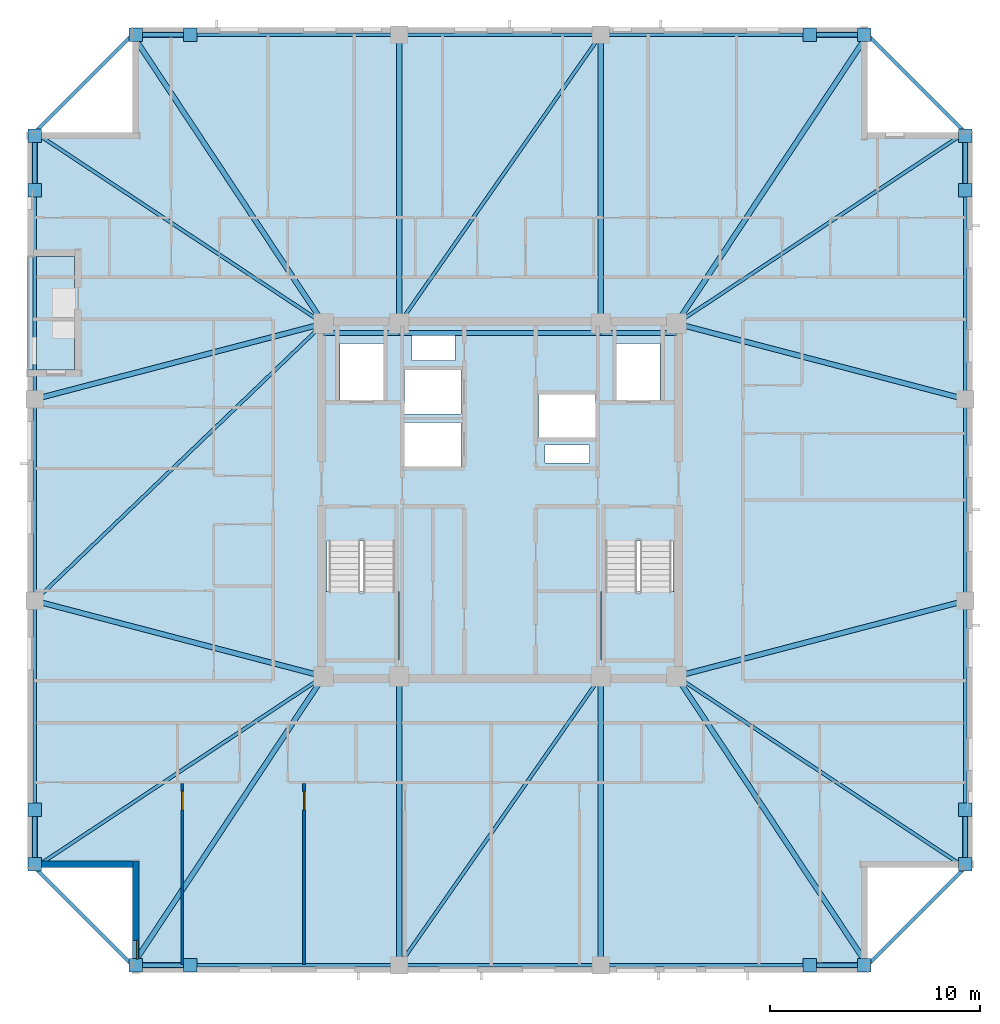
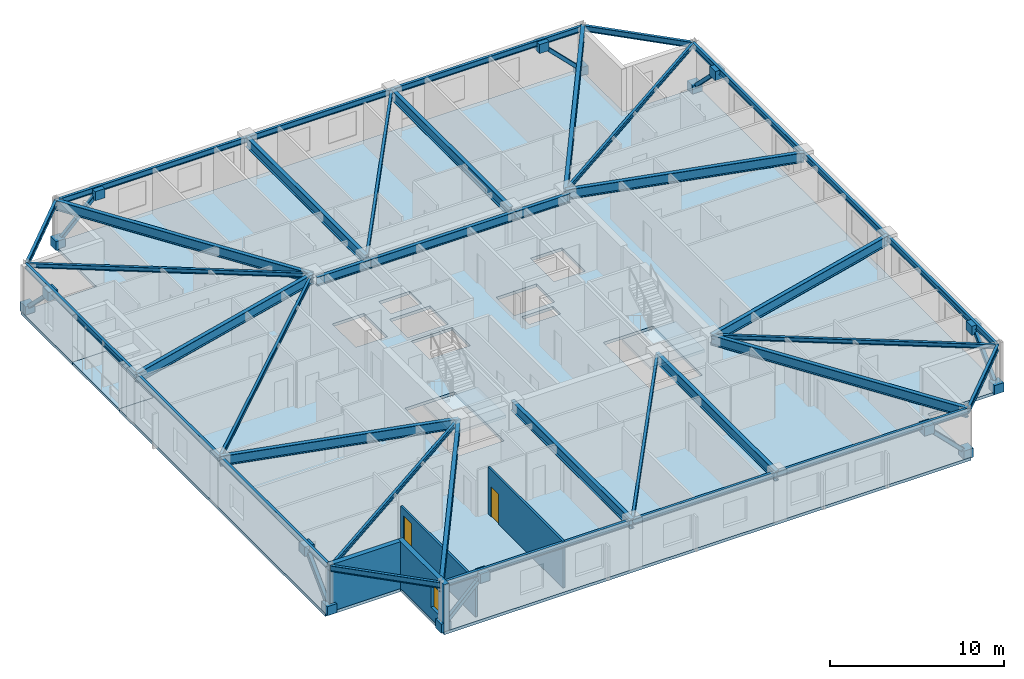
# One storey, part 6 of 17: 38 beams, 16 plates, 8 members, 4 slabs, 4 walls, 2 doors, 1 window, 3 openings, 2 elements without a shape of their own.
"""IFC4 building model written with IfcOpenShell, lengths in metres."""

import ifcopenshell
import ifcopenshell.guid

model = None  # the IFC model being written
_history = None  # IfcOwnerHistory: only IFC2X3 demands one
_inside = {}  # id of a spatial element -> (the spatial element, [elements in it])
_under = {}  # id of a project, library or spatial element -> (it, [spatial elements below it])
_declared = {}  # id of a project -> (the project, [libraries it declares])
_typed = {}  # id of a type object -> (the type object, [elements of that type])
_made_of = {}  # id of a material, layer set ... -> (it, [elements and type objects made of it])


def new_model(schema):
    """Start an empty IFC model of exactly this schema.

    Asked for "IFC4X3", IfcOpenShell would pick the latest addendum, in which some entities
    have other attributes; the version numbers below select the first issue.
    IFC2X3 requires an IfcOwnerHistory on every rooted entity: one is made here for all.
    """
    global model, _history
    if schema == "IFC4X3":
        model = ifcopenshell.file(schema_version=(4, 3, 0, 0))
    else:
        model = ifcopenshell.file(schema=schema)
    _inside.clear()
    _under.clear()
    _declared.clear()
    _typed.clear()
    _made_of.clear()
    _history = None
    if model.schema == "IFC2X3":
        org = make("IfcOrganization", Name="unknown")
        user = make(
            "IfcPersonAndOrganization",
            ThePerson=make("IfcPerson", FamilyName="unknown"),
            TheOrganization=org,
        )
        app = make(
            "IfcApplication",
            ApplicationDeveloper=org,
            Version="unknown",
            ApplicationFullName="unknown",
            ApplicationIdentifier="unknown",
        )
        _history = make(
            "IfcOwnerHistory",
            OwningUser=user,
            OwningApplication=app,
            ChangeAction="ADDED",
            CreationDate=0,
        )
    return model


def make(cls, **values):
    """One entity of the class cls with the attributes given. An attribute that is None is left unset."""
    return model.create_entity(
        cls, **{name: value for name, value in values.items() if value is not None}
    )


def rooted(cls, **values):
    """An entity with a GlobalId (a new one), such as an element, a storey or a relation."""
    return make(cls, GlobalId=ifcopenshell.guid.new(), OwnerHistory=_history, **values)


def si_unit(unit_type, name, prefix=None):
    """IfcSIUnit, for example si_unit("LENGTHUNIT", "METRE", prefix="MILLI")."""
    return make("IfcSIUnit", UnitType=unit_type, Prefix=prefix, Name=name)


def assignment(units):
    """IfcUnitAssignment: the units of a project."""
    return None if units is None else make("IfcUnitAssignment", Units=units)


def point(xyz):
    """IfcCartesianPoint."""
    return None if xyz is None else make("IfcCartesianPoint", Coordinates=xyz)


def direction(xyz):
    """IfcDirection."""
    return None if xyz is None else make("IfcDirection", DirectionRatios=xyz)


def frame(location, z_axis=None, x_axis=None):
    """IfcAxis2Placement3D, a coordinate frame: its origin and axes. An axis left out is left unset."""
    return make(
        "IfcAxis2Placement3D",
        Location=point(location),
        Axis=direction(z_axis),
        RefDirection=direction(x_axis),
    )


def frame_2d(location, x_axis=None):
    """IfcAxis2Placement2D, a coordinate frame in the plane: its origin and x axis."""
    return make(
        "IfcAxis2Placement2D", Location=point(location), RefDirection=direction(x_axis)
    )


def origin():
    """The frame at (0, 0, 0) with its axes left unset."""
    return frame((0.0, 0.0, 0.0))


def origin_2d():
    """The frame at (0, 0) in the plane with its x axis left unset."""
    return frame_2d((0.0, 0.0))


def place(relative_to, where):
    """IfcLocalPlacement: puts the frame where relative to a parent placement (None: the world)."""
    return make(
        "IfcLocalPlacement", PlacementRelTo=relative_to, RelativePlacement=where
    )


def context(
    kind, dimensions, precision=None, world=None, true_north=None, identifier=None
):
    """IfcGeometricRepresentationContext, for example the 3D "Model" context."""
    return make(
        "IfcGeometricRepresentationContext",
        ContextIdentifier=identifier,
        ContextType=kind,
        CoordinateSpaceDimension=dimensions,
        Precision=precision,
        WorldCoordinateSystem=world,
        TrueNorth=true_north,
    )


def subcontext(parent, identifier, kind, view, scale=None):
    """IfcGeometricRepresentationSubContext, for example "Body" below "Model"."""
    return make(
        "IfcGeometricRepresentationSubContext",
        ContextIdentifier=identifier,
        ContextType=kind,
        ParentContext=parent,
        TargetScale=scale,
        TargetView=view,
    )


def project(units=None, contexts=None):
    """IfcProject with its units and contexts."""
    return rooted(
        "IfcProject",
        Name="project",
        RepresentationContexts=contexts,
        UnitsInContext=assignment(units),
    )


def spatial(cls, under=None, at=None, **own):
    """A site, building, storey or space (cls), placed at a placement, below another one or the project."""
    s = rooted(cls, ObjectPlacement=at, **own)
    if under is not None:
        _under.setdefault(under.id(), (under, []))[1].append(s)
    return s


def polyline(points):
    """IfcPolyline through the points."""
    return make("IfcPolyline", Points=[point(p) for p in points])


def profile(cls, at=None, kind="AREA", **sizes):
    """A parametric profile (cls). Its sizes go by their IFC names, for example OverallWidth=200.0."""
    return make(cls, ProfileType=kind, Position=at, **sizes)


def rectangle(**sizes):
    """IfcRectangleProfileDef."""
    return profile("IfcRectangleProfileDef", **sizes)


def hollow_rectangle(**sizes):
    """IfcRectangleHollowProfileDef."""
    return profile("IfcRectangleHollowProfileDef", **sizes)


def i_section(**sizes):
    """IfcIShapeProfileDef."""
    return profile("IfcIShapeProfileDef", **sizes)


def outline(outer, holes=None, kind="AREA"):
    """IfcArbitraryClosedProfileDef: a profile drawn as a closed curve; with holes, ...WithVoids."""
    if holes is None:
        return make("IfcArbitraryClosedProfileDef", ProfileType=kind, OuterCurve=outer)
    return make(
        "IfcArbitraryProfileDefWithVoids",
        ProfileType=kind,
        OuterCurve=outer,
        InnerCurves=holes,
    )


def extrude(swept, where, along, depth):
    """IfcExtrudedAreaSolid: the profile swept, set in the frame where, extruded along a direction by depth."""
    return make(
        "IfcExtrudedAreaSolid",
        SweptArea=swept,
        Position=where,
        ExtrudedDirection=direction(along),
        Depth=depth,
    )


def shape(context_of_items, identifier, shape_type, items):
    """IfcShapeRepresentation: the items that make up one representation, for example the "Body"."""
    return make(
        "IfcShapeRepresentation",
        ContextOfItems=context_of_items,
        RepresentationIdentifier=identifier,
        RepresentationType=shape_type,
        Items=items,
    )


def material(Name=None, Category=None):
    """IfcMaterial."""
    return make("IfcMaterial", Name=Name, Category=Category)


def layer(
    of_material, thickness, ventilated=None, Name=None, Category=None, Priority=None
):
    """IfcMaterialLayer: one layer of a wall or slab, of a material (None: an air gap)."""
    return make(
        "IfcMaterialLayer",
        Material=of_material,
        LayerThickness=thickness,
        IsVentilated=ventilated,
        Name=Name,
        Category=Category,
        Priority=Priority,
    )


def layer_set(layers, Name=None):
    """IfcMaterialLayerSet."""
    return make("IfcMaterialLayerSet", MaterialLayers=layers, LayerSetName=Name)


def material_profile(
    of_material, cross_section, Name=None, Category=None, Priority=None
):
    """IfcMaterialProfile: a cross section and its material."""
    return make(
        "IfcMaterialProfile",
        Name=Name,
        Material=of_material,
        Profile=cross_section,
        Priority=Priority,
        Category=Category,
    )


def profile_set(profiles, Name=None, composite=None):
    """IfcMaterialProfileSet."""
    return make(
        "IfcMaterialProfileSet",
        Name=Name,
        MaterialProfiles=profiles,
        CompositeProfile=composite,
    )


def made_of(thing, what):
    """Note that an element or type object is made of a material, layer set ...; save() writes the relation."""
    if what is not None:
        _made_of.setdefault(what.id(), (what, []))[1].append(thing)
    return thing


def type_object(cls, material=None, **own):
    """A type object (cls), such as IfcWallType, which elements share."""
    return made_of(rooted(cls, **own), material)


def element(
    cls,
    number,
    at=None,
    inside=None,
    cuts=None,
    type_object=None,
    material=None,
    context=None,
    identifier="Body",
    shape_type=None,
    held_by="IfcProductDefinitionShape",
    body=None,
    shapes=None,
    **own,
):
    """One element of the class cls, such as IfcWall. Its Tag is "e" and its number.

    at: its placement. inside: the storey or other place that contains it. cuts: it is an
    opening in that element (IfcRelVoidsElement). A single representation is given by context,
    identifier, shape_type and body (its items); several are given by shapes. held_by: the class
    of the entity that holds the representations. save() writes the other relations.
    """
    e = rooted(cls, Tag="e%d" % number, ObjectPlacement=at, **own)
    if body is not None:
        shapes = [shape(context, identifier, shape_type, body)]
    if shapes is not None:
        e.Representation = make(held_by, Representations=shapes)
    if inside is not None:
        _inside.setdefault(inside.id(), (inside, []))[1].append(e)
    if cuts is not None:
        rooted(
            "IfcRelVoidsElement", RelatingBuildingElement=cuts, RelatedOpeningElement=e
        )
    if type_object is not None:
        _typed.setdefault(type_object.id(), (type_object, []))[1].append(e)
    return made_of(e, material)


def fill(opening, filler):
    """IfcRelFillsElement: the door or window that sits in an opening."""
    return rooted(
        "IfcRelFillsElement",
        RelatingOpeningElement=opening,
        RelatedBuildingElement=filler,
    )


def aggregate(whole, parts):
    """IfcRelAggregates: a whole, such as a stair, and the parts it consists of."""
    return rooted("IfcRelAggregates", RelatingObject=whole, RelatedObjects=parts)


def save(model, path):
    """Write the relations noted so far, then the file.

    IfcRelAggregates (storeys below a building ...), IfcRelContainedInSpatialStructure (elements
    in a storey), IfcRelDefinesByType, IfcRelAssociatesMaterial and IfcRelDeclares: one each for
    every whole, place, type object, material and project.
    """
    for whole, parts in _under.values():
        aggregate(whole, parts)
    for where, things in _inside.values():
        rooted(
            "IfcRelContainedInSpatialStructure",
            RelatedElements=things,
            RelatingStructure=where,
        )
    for kind, things in _typed.values():
        rooted("IfcRelDefinesByType", RelatedObjects=things, RelatingType=kind)
    for what, things in _made_of.values():
        rooted("IfcRelAssociatesMaterial", RelatedObjects=things, RelatingMaterial=what)
    for by, libraries in _declared.values():
        rooted("IfcRelDeclares", RelatingContext=by, RelatedDefinitions=libraries)
    model.write(path)


model = new_model("IFC4")

# Units and contexts
model_context = context("Model", 3, precision=1e-05, world=origin(), true_north=direction((0.0, 1.0)))
body_context = subcontext(model_context, "Body", "Model", "MODEL_VIEW")
ifc_project = project(units=[si_unit("LENGTHUNIT", "METRE"), si_unit("AREAUNIT", "SQUARE_METRE"), si_unit("VOLUMEUNIT", "CUBIC_METRE"), si_unit("PLANEANGLEUNIT", "RADIAN"), si_unit("MASSUNIT", "GRAM", prefix="KILO")], contexts=[model_context])

# Site, building, storey
site_placement = place(None, origin())
site = spatial("IfcSite", under=ifc_project, at=site_placement, CompositionType="ELEMENT")
building_placement = place(site_placement, origin())
building = spatial("IfcBuilding", under=site, at=building_placement, Name="Cairnveth Concourse Tower", CompositionType="ELEMENT")
storey_placement = place(building_placement, frame((0.0, 0.0, 230.5)))
storey = spatial("IfcBuildingStorey", under=building, at=storey_placement, Name="L63", CompositionType="ELEMENT", Elevation=230.5)

# Beams
ifc_material_1 = material(Name="Steel Grade 350", Category="steel")
ifc_material_profile_1 = material_profile(ifc_material_1, i_section(OverallWidth=0.22802734375, OverallDepth=0.60693359375, WebThickness=0.01123046875, FlangeThickness=0.017333984375, FilletRadius=0.013916015625, at=origin_2d()), Name="610UB113")
ifc_profile_set_1 = profile_set([ifc_material_profile_1], Name="Steel Grade 350")
beam_type_1 = type_object("IfcBeamType", Name="CORE TIE BEAM 610UB113", PredefinedType="T_BEAM", material=ifc_profile_set_1)
for number, where, z_axis, x_axis, name in (
    (1, (43.60009765625, 46.949951171875, 2.986572265625), (1.0, 0.0, 0.0), (0.0, 1.0, 0.0), "Beam CT-N1 L63"),
    (2, (56.800048828125, 46.949951171875, 2.986572265625), (1.0, 0.0, 0.0), (0.0, 1.0, 0.0), "Beam CT-N3 L63"),
):
    element("IfcBeam", number, at=place(storey_placement, frame(where, z_axis=z_axis, x_axis=x_axis)), inside=storey, type_object=beam_type_1, Name=name, PredefinedType="T_BEAM", context=body_context, shape_type="SweptSolid", body=[
        extrude(i_section(OverallWidth=0.22802734375, OverallDepth=0.60693359375, WebThickness=0.01123046875, FlangeThickness=0.017333984375, FilletRadius=0.013916015625, at=origin_2d()), origin(), (0.0, 0.0, 1.0), 3.599853515625),
    ])
beam_1_placement = place(storey_placement, frame((47.199951171875, 46.949951171875, 2.986572265625), z_axis=(1.0, 0.0, 0.0), x_axis=(0.0, 1.0, 0.0)))
element("IfcBeam", 3, at=beam_1_placement, inside=storey, type_object=beam_type_1, Name="Beam CT-N2 L63", PredefinedType="T_BEAM", context=body_context, shape_type="SweptSolid", body=[
    extrude(i_section(OverallWidth=0.22802734375, OverallDepth=0.60693359375, WebThickness=0.01123046875, FlangeThickness=0.017333984375, FilletRadius=0.013916015625, at=origin_2d()), origin(), (0.0, 0.0, 1.0), 9.60009765625),
])
ifc_material_profile_2 = material_profile(ifc_material_1, i_section(OverallWidth=0.166015625, OverallDepth=0.306884765625, WebThickness=0.006591796875, FlangeThickness=0.01171875, FilletRadius=0.010986328125, at=origin_2d()), Name="310UB46.2")
ifc_profile_set_2 = profile_set([ifc_material_profile_2], Name="Steel Grade 350")
beam_type_2 = type_object("IfcBeamType", Name="ZONE 3 FLOOR JOIST 310UB46.2", PredefinedType="JOIST", material=ifc_profile_set_2)
for number, where, z_axis, x_axis, name in (
    (4, (29.85009765625, 21.5, 3.136474609375), (0.833908956207, 0.551902031848, 0.0), (-0.551902031848, 0.833908956207, 0.0), "Beam FJ-CSW2 L63"),
    (5, (74.14990234375, 21.5, 3.136474609375), (-0.833908956207, 0.551902031848, 0.0), (-0.551902031848, -0.833908956207, 0.0), "Beam FJ-CSE2 L63"),
    (6, (74.14990234375, 56.5, 3.136474609375), (-0.833908956207, -0.551902031848, 0.0), (0.551902031848, -0.833908956207, 0.0), "Beam FJ-CNE2 L63"),
    (7, (29.85009765625, 56.5, 3.136474609375), (0.833908956207, -0.551902031848, 0.0), (0.551902031848, 0.833908956207, 0.0), "Beam FJ-CNW2 L63"),
):
    element("IfcBeam", number, at=place(storey_placement, frame(where, z_axis=z_axis, x_axis=x_axis)), inside=storey, type_object=beam_type_2, Name=name, PredefinedType="JOIST", context=body_context, shape_type="SweptSolid", body=[
        extrude(i_section(OverallWidth=0.166015625, OverallDepth=0.306884765625, WebThickness=0.006591796875, FlangeThickness=0.01171875, FilletRadius=0.010986328125, at=origin_2d()), origin(), (0.0, 0.0, 1.0), 16.488525390625),
    ])
for number, where, z_axis, x_axis, name in (
    (8, (47.199951171875, 16.85009765625, 3.136474609375), (0.572465304893, 0.819928944905, 0.0), (-0.819928944905, 0.572465304893, 0.0), "Beam FJ-S-M1 L63"),
    (9, (47.199951171875, 47.39990234375, 3.136474609375), (0.572465304893, 0.819928944905, 0.0), (-0.819928944905, 0.572465304893, 0.0), "Beam FJ-N-M1 L63"),
):
    element("IfcBeam", number, at=place(storey_placement, frame(where, z_axis=z_axis, x_axis=x_axis)), inside=storey, type_object=beam_type_2, Name=name, PredefinedType="JOIST", context=body_context, shape_type="SweptSolid", body=[
        extrude(i_section(OverallWidth=0.166015625, OverallDepth=0.306884765625, WebThickness=0.006591796875, FlangeThickness=0.01171875, FilletRadius=0.010986328125, at=origin_2d()), origin(), (0.0, 0.0, 1.0), 16.769775390625),
    ])
beam_2_placement = place(storey_placement, frame((29.85009765625, 34.199951171875, 3.136474609375), z_axis=(0.721388600838, 0.692530495055, 0.0), x_axis=(-0.692530495055, 0.721388600838, 0.0)))
element("IfcBeam", 10, at=beam_2_placement, inside=storey, type_object=beam_type_2, Name="Beam FJ-W-M1 L63", PredefinedType="JOIST", context=body_context, shape_type="SweptSolid", body=[
    extrude(i_section(OverallWidth=0.166015625, OverallDepth=0.306884765625, WebThickness=0.006591796875, FlangeThickness=0.01171875, FilletRadius=0.010986328125, at=origin_2d()), origin(), (0.0, 0.0, 1.0), 19.060546875),
])

# Members
ifc_material_2 = material(Name="Steel C350L0 (350 MPa)", Category="steel")
ifc_material_profile_3 = material_profile(ifc_material_2, hollow_rectangle(XDim=0.25, YDim=0.25, WallThickness=0.012451171875, InnerFilletRadius=0.012939453125, OuterFilletRadius=0.02490234375, at=origin_2d()), Name="250x250x12.5SHS")
ifc_profile_set_3 = profile_set([ifc_material_profile_3], Name="Steel C350L0 (350 MPa)")
member_type = type_object("IfcMemberType", Name="ZONE 3 PIER BRACE 250X250X12.5SHS", PredefinedType="BRACE", material=ifc_profile_set_3)
for number, where, z_axis, x_axis, name in (
    (11, (34.64990234375, 16.85009765625, 0.25), (0.708469186186, 0.0, 0.705741746126), (0.0, 1.0, 0.0), "Structural Brace PB-S1 L63"),
    (12, (69.35009765625, 16.85009765625, 0.25), (-0.708469186186, 0.0, 0.705741746126), (0.0, -1.0, 0.0), "Structural Brace PB-S2 L63"),
    (13, (34.64990234375, 61.14990234375, 0.25), (0.708469186186, 0.0, 0.705741746126), (0.0, 1.0, 0.0), "Structural Brace PB-N1 L63"),
    (14, (69.35009765625, 61.14990234375, 0.25), (-0.708469186186, 0.0, 0.705741746126), (0.0, -1.0, 0.0), "Structural Brace PB-N2 L63"),
    (15, (29.85009765625, 21.64990234375, 0.25), (0.0, 0.708469186186, 0.705741746126), (-1.0, 0.0, 0.0), "Structural Brace PB-W1 L63"),
    (16, (29.85009765625, 56.35009765625, 0.25), (0.0, -0.708469186186, 0.705741746126), (1.0, 0.0, 0.0), "Structural Brace PB-W2 L63"),
    (17, (74.14990234375, 21.64990234375, 0.25), (0.0, 0.708469186186, 0.705741746126), (-1.0, 0.0, 0.0), "Structural Brace PB-E1 L63"),
    (18, (74.14990234375, 56.35009765625, 0.25), (0.0, -0.708469186186, 0.705741746126), (1.0, 0.0, 0.0), "Structural Brace PB-E2 L63"),
):
    element("IfcMember", number, at=place(storey_placement, frame(where, z_axis=z_axis, x_axis=x_axis)), inside=storey, type_object=member_type, Name=name, PredefinedType="BRACE", context=body_context, shape_type="SweptSolid", body=[
        extrude(hollow_rectangle(XDim=0.25, YDim=0.25, WallThickness=0.012451171875, InnerFilletRadius=0.012939453125, OuterFilletRadius=0.02490234375, at=origin_2d()), origin(), (0.0, 0.0, 1.0), 3.669921875),
    ])

# Beams
ifc_material_profile_4 = material_profile(ifc_material_1, i_section(OverallWidth=0.25, OverallDepth=0.69189453125, WebThickness=0.010009765625, FlangeThickness=0.02490234375, at=origin_2d()), Name="700WB150")
ifc_profile_set_4 = profile_set([ifc_material_profile_4], Name="Steel Grade 350")
beam_type_3 = type_object("IfcBeamType", Name="ZONE 3 RADIAL GIRDER 700WB150", PredefinedType="BEAM", material=ifc_profile_set_4)
for number, where, z_axis, x_axis, name in (
    (19, (47.199951171875, 16.85009765625, 2.944091796875), (0.0, 1.0, 0.0), (-1.0, 0.0, 0.0), "Beam RG-S1 L63"),
    (20, (56.800048828125, 16.85009765625, 2.944091796875), (0.0, 1.0, 0.0), (-1.0, 0.0, 0.0), "Beam RG-S2 L63"),
    (21, (47.199951171875, 47.39990234375, 2.944091796875), (0.0, 1.0, 0.0), (-1.0, 0.0, 0.0), "Beam RG-N1 L63"),
    (22, (56.800048828125, 47.39990234375, 2.944091796875), (0.0, 1.0, 0.0), (-1.0, 0.0, 0.0), "Beam RG-N2 L63"),
):
    element("IfcBeam", number, at=place(storey_placement, frame(where, z_axis=z_axis, x_axis=x_axis)), inside=storey, type_object=beam_type_3, Name=name, PredefinedType="BEAM", context=body_context, shape_type="SweptSolid", body=[
        extrude(i_section(OverallWidth=0.25, OverallDepth=0.69189453125, WebThickness=0.010009765625, FlangeThickness=0.02490234375, at=origin_2d()), origin(), (0.0, 0.0, 1.0), 13.75),
    ])
for number, where, z_axis, x_axis, name in (
    (23, (29.85009765625, 34.199951171875, 2.944091796875), (0.967395273598, -0.253271365575, 0.0), (0.253271365575, 0.967395273598, 0.0), "Beam RG-W1 L63"),
    (24, (29.85009765625, 43.800048828125, 2.944091796875), (0.967395273598, 0.253271365575, 0.0), (-0.253271365575, 0.967395273598, 0.0), "Beam RG-W2 L63"),
    (25, (60.39990234375, 30.60009765625, 2.944091796875), (0.967395273598, 0.253271365575, 0.0), (-0.253271365575, 0.967395273598, 0.0), "Beam RG-E1 L63"),
    (26, (60.39990234375, 47.39990234375, 2.944091796875), (0.967395273598, -0.253271365575, 0.0), (0.253271365575, 0.967395273598, 0.0), "Beam RG-E2 L63"),
):
    element("IfcBeam", number, at=place(storey_placement, frame(where, z_axis=z_axis, x_axis=x_axis)), inside=storey, type_object=beam_type_3, Name=name, PredefinedType="BEAM", context=body_context, shape_type="SweptSolid", body=[
        extrude(i_section(OverallWidth=0.25, OverallDepth=0.69189453125, WebThickness=0.010009765625, FlangeThickness=0.02490234375, at=origin_2d()), origin(), (0.0, 0.0, 1.0), 14.21337890625),
    ])
for number, where, z_axis, x_axis, name in (
    (27, (34.5, 16.85009765625, 2.944091796875), (0.551902031848, 0.833908956207, 0.0), (-0.833908956207, 0.551902031848, 0.0), "Beam RG-CSW L63"),
    (28, (69.5, 16.85009765625, 2.944091796875), (-0.551902031848, 0.833908956207, 0.0), (-0.833908956207, -0.551902031848, 0.0), "Beam RG-CSE L63"),
    (29, (69.5, 61.14990234375, 2.944091796875), (-0.551902031848, -0.833908956207, 0.0), (0.833908956207, -0.551902031848, 0.0), "Beam RG-CNE L63"),
    (30, (34.5, 61.14990234375, 2.944091796875), (0.551902031848, -0.833908956207, 0.0), (0.833908956207, 0.551902031848, 0.0), "Beam RG-CNW L63"),
):
    element("IfcBeam", number, at=place(storey_placement, frame(where, z_axis=z_axis, x_axis=x_axis)), inside=storey, type_object=beam_type_3, Name=name, PredefinedType="BEAM", context=body_context, shape_type="SweptSolid", body=[
        extrude(i_section(OverallWidth=0.25, OverallDepth=0.69189453125, WebThickness=0.010009765625, FlangeThickness=0.02490234375, at=origin_2d()), origin(), (0.0, 0.0, 1.0), 16.488525390625),
    ])
ifc_material_profile_5 = material_profile(ifc_material_1, i_section(OverallWidth=0.177978515625, OverallDepth=0.406005859375, WebThickness=0.0078125, FlangeThickness=0.0126953125, FilletRadius=0.010986328125, at=origin_2d()), Name="410UB59.7")
ifc_profile_set_5 = profile_set([ifc_material_profile_5], Name="Steel Grade 350")
beam_type_4 = type_object("IfcBeamType", Name="ZONE 3 SPANDREL BEAM 410UB59.7", PredefinedType="SPANDREL", material=ifc_profile_set_5)
beam_3_placement = place(storey_placement, frame((34.5, 16.85009765625, 3.0869140625), z_axis=(1.0, 0.0, 0.0), x_axis=(0.0, 1.0, 0.0)))
element("IfcBeam", 31, at=beam_3_placement, inside=storey, type_object=beam_type_4, Name="Beam SP-S1 L63", PredefinedType="SPANDREL", context=body_context, shape_type="SweptSolid", body=[
    extrude(i_section(OverallWidth=0.177978515625, OverallDepth=0.406005859375, WebThickness=0.0078125, FlangeThickness=0.0126953125, FilletRadius=0.010986328125, at=origin_2d()), origin(), (0.0, 0.0, 1.0), 12.699951171875),
])
beam_4_placement = place(storey_placement, frame((47.199951171875, 16.85009765625, 3.0869140625), z_axis=(1.0, 0.0, 0.0), x_axis=(0.0, 1.0, 0.0)))
element("IfcBeam", 32, at=beam_4_placement, inside=storey, type_object=beam_type_4, Name="Beam SP-S2 L63", PredefinedType="SPANDREL", context=body_context, shape_type="SweptSolid", body=[
    extrude(i_section(OverallWidth=0.177978515625, OverallDepth=0.406005859375, WebThickness=0.0078125, FlangeThickness=0.0126953125, FilletRadius=0.010986328125, at=origin_2d()), origin(), (0.0, 0.0, 1.0), 9.60009765625),
])
for number, where, z_axis, x_axis, name in (
    (33, (56.800048828125, 16.85009765625, 3.0869140625), (1.0, 0.0, 0.0), (0.0, 1.0, 0.0), "Beam SP-S3 L63"),
    (34, (34.5, 61.14990234375, 3.0869140625), (1.0, 0.0, 0.0), (0.0, 1.0, 0.0), "Beam SP-N1 L63"),
):
    element("IfcBeam", number, at=place(storey_placement, frame(where, z_axis=z_axis, x_axis=x_axis)), inside=storey, type_object=beam_type_4, Name=name, PredefinedType="SPANDREL", context=body_context, shape_type="SweptSolid", body=[
        extrude(i_section(OverallWidth=0.177978515625, OverallDepth=0.406005859375, WebThickness=0.0078125, FlangeThickness=0.0126953125, FilletRadius=0.010986328125, at=origin_2d()), origin(), (0.0, 0.0, 1.0), 12.699951171875),
    ])
beam_5_placement = place(storey_placement, frame((47.199951171875, 61.14990234375, 3.0869140625), z_axis=(1.0, 0.0, 0.0), x_axis=(0.0, 1.0, 0.0)))
element("IfcBeam", 35, at=beam_5_placement, inside=storey, type_object=beam_type_4, Name="Beam SP-N2 L63", PredefinedType="SPANDREL", context=body_context, shape_type="SweptSolid", body=[
    extrude(i_section(OverallWidth=0.177978515625, OverallDepth=0.406005859375, WebThickness=0.0078125, FlangeThickness=0.0126953125, FilletRadius=0.010986328125, at=origin_2d()), origin(), (0.0, 0.0, 1.0), 9.60009765625),
])
for number, where, z_axis, x_axis, name in (
    (36, (56.800048828125, 61.14990234375, 3.0869140625), (1.0, 0.0, 0.0), (0.0, 1.0, 0.0), "Beam SP-N3 L63"),
    (37, (29.85009765625, 21.5, 3.0869140625), (0.0, 1.0, 0.0), (-1.0, 0.0, 0.0), "Beam SP-W1 L63"),
):
    element("IfcBeam", number, at=place(storey_placement, frame(where, z_axis=z_axis, x_axis=x_axis)), inside=storey, type_object=beam_type_4, Name=name, PredefinedType="SPANDREL", context=body_context, shape_type="SweptSolid", body=[
        extrude(i_section(OverallWidth=0.177978515625, OverallDepth=0.406005859375, WebThickness=0.0078125, FlangeThickness=0.0126953125, FilletRadius=0.010986328125, at=origin_2d()), origin(), (0.0, 0.0, 1.0), 12.699951171875),
    ])
beam_6_placement = place(storey_placement, frame((29.85009765625, 34.199951171875, 3.0869140625), z_axis=(0.0, 1.0, 0.0), x_axis=(-1.0, 0.0, 0.0)))
element("IfcBeam", 38, at=beam_6_placement, inside=storey, type_object=beam_type_4, Name="Beam SP-W2 L63", PredefinedType="SPANDREL", context=body_context, shape_type="SweptSolid", body=[
    extrude(i_section(OverallWidth=0.177978515625, OverallDepth=0.406005859375, WebThickness=0.0078125, FlangeThickness=0.0126953125, FilletRadius=0.010986328125, at=origin_2d()), origin(), (0.0, 0.0, 1.0), 9.60009765625),
])
for number, where, z_axis, x_axis, name in (
    (39, (29.85009765625, 43.800048828125, 3.0869140625), (0.0, 1.0, 0.0), (-1.0, 0.0, 0.0), "Beam SP-W3 L63"),
    (40, (74.14990234375, 21.5, 3.0869140625), (0.0, 1.0, 0.0), (-1.0, 0.0, 0.0), "Beam SP-E1 L63"),
):
    element("IfcBeam", number, at=place(storey_placement, frame(where, z_axis=z_axis, x_axis=x_axis)), inside=storey, type_object=beam_type_4, Name=name, PredefinedType="SPANDREL", context=body_context, shape_type="SweptSolid", body=[
        extrude(i_section(OverallWidth=0.177978515625, OverallDepth=0.406005859375, WebThickness=0.0078125, FlangeThickness=0.0126953125, FilletRadius=0.010986328125, at=origin_2d()), origin(), (0.0, 0.0, 1.0), 12.699951171875),
    ])
beam_7_placement = place(storey_placement, frame((74.14990234375, 34.199951171875, 3.0869140625), z_axis=(0.0, 1.0, 0.0), x_axis=(-1.0, 0.0, 0.0)))
element("IfcBeam", 41, at=beam_7_placement, inside=storey, type_object=beam_type_4, Name="Beam SP-E2 L63", PredefinedType="SPANDREL", context=body_context, shape_type="SweptSolid", body=[
    extrude(i_section(OverallWidth=0.177978515625, OverallDepth=0.406005859375, WebThickness=0.0078125, FlangeThickness=0.0126953125, FilletRadius=0.010986328125, at=origin_2d()), origin(), (0.0, 0.0, 1.0), 9.60009765625),
])
beam_8_placement = place(storey_placement, frame((74.14990234375, 43.800048828125, 3.0869140625), z_axis=(0.0, 1.0, 0.0), x_axis=(-1.0, 0.0, 0.0)))
element("IfcBeam", 42, at=beam_8_placement, inside=storey, type_object=beam_type_4, Name="Beam SP-E3 L63", PredefinedType="SPANDREL", context=body_context, shape_type="SweptSolid", body=[
    extrude(i_section(OverallWidth=0.177978515625, OverallDepth=0.406005859375, WebThickness=0.0078125, FlangeThickness=0.0126953125, FilletRadius=0.010986328125, at=origin_2d()), origin(), (0.0, 0.0, 1.0), 12.699951171875),
])
for number, where, z_axis, x_axis, name in (
    (43, (29.85009765625, 21.5, 3.0869140625), (0.707106781187, -0.707106781187, 0.0), (0.707106781187, 0.707106781187, 0.0), "Beam SP-SW L63"),
    (44, (69.5, 16.85009765625, 3.0869140625), (0.707106781187, 0.707106781187, 0.0), (-0.707106781187, 0.707106781187, 0.0), "Beam SP-SE L63"),
    (45, (69.5, 61.14990234375, 3.0869140625), (0.707106781187, -0.707106781187, 0.0), (0.707106781187, 0.707106781187, 0.0), "Beam SP-NE L63"),
    (46, (29.85009765625, 56.5, 3.0869140625), (0.707106781187, 0.707106781187, 0.0), (-0.707106781187, 0.707106781187, 0.0), "Beam SP-NW L63"),
):
    element("IfcBeam", number, at=place(storey_placement, frame(where, z_axis=z_axis, x_axis=x_axis)), inside=storey, type_object=beam_type_4, Name=name, PredefinedType="SPANDREL", context=body_context, shape_type="SweptSolid", body=[
        extrude(i_section(OverallWidth=0.177978515625, OverallDepth=0.406005859375, WebThickness=0.0078125, FlangeThickness=0.0126953125, FilletRadius=0.010986328125, at=origin_2d()), origin(), (0.0, 0.0, 1.0), 6.575927734375),
    ])

# Plates
ifc_layer_1 = layer(ifc_material_1, 0.031982421875)
ifc_layer_set_1 = layer_set([ifc_layer_1], Name="Steel Grade 350")
plate_type = type_object("IfcPlateType", Name="PERIMETER BRACE GUSSET PLATE 32", PredefinedType="USERDEFINED", material=ifc_layer_set_1)
for number, where, z_axis, x_axis, name in (
    (47, (34.64990234375, 16.85009765625, -0.06982421875), (0.0, 0.0, 1.0), (1.0, 0.0, 0.0), "Structural Node Plate 1093 L63"),
    (48, (37.25, 16.85009765625, 2.52001953125), (0.0, 0.0, 1.0), (1.0, 0.0, 0.0), "Structural Node Plate 1094 L63"),
    (49, (69.35009765625, 16.85009765625, -0.06982421875), (0.0, 0.0, 1.0), (1.0, 0.0, 0.0), "Structural Node Plate 1095 L63"),
    (50, (66.75, 16.85009765625, 2.52001953125), (0.0, 0.0, 1.0), (1.0, 0.0, 0.0), "Structural Node Plate 1096 L63"),
    (51, (34.64990234375, 61.14990234375, -0.06982421875), (0.0, 0.0, 1.0), (1.0, 0.0, 0.0), "Structural Node Plate 1097 L63"),
    (52, (37.25, 61.14990234375, 2.52001953125), (0.0, 0.0, 1.0), (1.0, 0.0, 0.0), "Structural Node Plate 1098 L63"),
    (53, (69.35009765625, 61.14990234375, -0.06982421875), (0.0, 0.0, 1.0), (1.0, 0.0, 0.0), "Structural Node Plate 1099 L63"),
    (54, (66.75, 61.14990234375, 2.52001953125), (0.0, 0.0, 1.0), (1.0, 0.0, 0.0), "Structural Node Plate 1100 L63"),
    (55, (29.85009765625, 21.64990234375, -0.06982421875), (0.0, 0.0, 1.0), (1.0, 0.0, 0.0), "Structural Node Plate 1101 L63"),
    (56, (29.85009765625, 24.25, 2.52001953125), (0.0, 0.0, 1.0), (1.0, 0.0, 0.0), "Structural Node Plate 1102 L63"),
    (57, (29.85009765625, 56.35009765625, -0.06982421875), (0.0, 0.0, 1.0), (1.0, 0.0, 0.0), "Structural Node Plate 1103 L63"),
    (58, (29.85009765625, 53.75, 2.52001953125), (0.0, 0.0, 1.0), (1.0, 0.0, 0.0), "Structural Node Plate 1104 L63"),
    (59, (74.14990234375, 21.64990234375, -0.06982421875), (0.0, 0.0, 1.0), (1.0, 0.0, 0.0), "Structural Node Plate 1105 L63"),
    (60, (74.14990234375, 24.25, 2.52001953125), (0.0, 0.0, 1.0), (1.0, 0.0, 0.0), "Structural Node Plate 1106 L63"),
    (61, (74.14990234375, 56.35009765625, -0.06982421875), (0.0, 0.0, 1.0), (1.0, 0.0, 0.0), "Structural Node Plate 1107 L63"),
    (62, (74.14990234375, 53.75, 2.52001953125), (0.0, 0.0, 1.0), (1.0, 0.0, 0.0), "Structural Node Plate 1108 L63"),
):
    element("IfcPlate", number, at=place(storey_placement, frame(where, z_axis=z_axis, x_axis=x_axis)), inside=storey, type_object=plate_type, Name=name, ObjectType="GUSSET PLATE", PredefinedType="USERDEFINED", context=body_context, shape_type="SweptSolid", body=[
        extrude(rectangle(XDim=0.639892578125, YDim=0.639892578125, at=origin_2d()), origin(), (0.0, 0.0, 1.0), 0.639892578125),
    ])

# Slab
ifc_material_3 = material(Name="Concrete N50 (50 MPa)", Category="concrete")
ifc_layer_2 = layer(ifc_material_3, 0.18994140625)
ifc_layer_set_2 = layer_set([ifc_layer_2], Name="Concrete N50 (50 MPa)")
slab_type_1 = type_object("IfcSlabType", Name="SPIRAL OUTDOOR TERRACE SLAB 190", PredefinedType="FLOOR", material=ifc_layer_set_2)
slab_1_placement = place(storey_placement, frame((0.0, 0.0, -0.18994140625)))
element("IfcSlab", 63, at=slab_1_placement, inside=storey, type_object=slab_type_1, Name="Spiral Terrace Slab L63", PredefinedType="FLOOR", context=body_context, shape_type="SweptSolid", body=[
    extrude(outline(polyline([(29.5, 45.199951171875), (31.75, 45.199951171875), (31.75, 50.60009765625), (29.5, 50.60009765625), (29.5, 45.199951171875)])), origin(), (0.0, 0.0, 1.0), 0.18994140625),
])

# Stair, slab
ifc_material_4 = material(Name="Precast concrete N50 (50 MPa)", Category="concrete")
stair_type = type_object("IfcStairType", Name="CORE DOG-LEG FIRE STAIR 1500", PredefinedType="HALF_TURN_STAIR", material=ifc_material_4)
stair_1_placement = place(storey_placement, origin())
stair_1 = element("IfcStair", 64, at=stair_1_placement, inside=storey, type_object=stair_type, Name="L63 Fire-Isolated Stair ST-1", PredefinedType="HALF_TURN_STAIR")
ifc_layer_3 = layer(ifc_material_3, 0.199951171875)
ifc_layer_set_3 = layer_set([ifc_layer_3], Name="Concrete N50 (50 MPa)")
slab_type_2 = type_object("IfcSlabType", Name="STAIR HALF LANDING SLAB 200", PredefinedType="LANDING", material=ifc_layer_set_3)
slab_2_placement = place(storey_placement, frame((0.0, 0.0, 1.550048828125)))
slab_2 = element("IfcSlab", 65, at=slab_2_placement, type_object=slab_type_2, Name="ST-1 landing 1", PredefinedType="LANDING", context=body_context, shape_type="SweptSolid", body=[
    extrude(outline(polyline([(43.6201171875, 34.639892578125), (43.6201171875, 31.3701171875), (47.199951171875, 31.3701171875), (47.199951171875, 34.639892578125), (43.6201171875, 34.639892578125)])), origin(), (0.0, 0.0, 1.0), 0.199951171875),
])
aggregate(stair_1, [slab_2])

stair_2_placement = place(storey_placement, origin())
stair_2 = element("IfcStair", 66, at=stair_2_placement, inside=storey, type_object=stair_type, Name="L63 Fire-Isolated Stair ST-2", PredefinedType="HALF_TURN_STAIR")
slab_3_placement = place(storey_placement, frame((0.0, 0.0, 1.550048828125)))
slab_3 = element("IfcSlab", 67, at=slab_3_placement, type_object=slab_type_2, Name="ST-2 landing 1", PredefinedType="LANDING", context=body_context, shape_type="SweptSolid", body=[
    extrude(outline(polyline([(56.800048828125, 34.639892578125), (56.800048828125, 31.3701171875), (60.3798828125, 31.3701171875), (60.3798828125, 34.639892578125), (56.800048828125, 34.639892578125)])), origin(), (0.0, 0.0, 1.0), 0.199951171875),
])
aggregate(stair_2, [slab_3])

# Slab
ifc_layer_4 = layer(ifc_material_3, 0.2099609375)
ifc_layer_set_4 = layer_set([ifc_layer_4], Name="Concrete N50 (50 MPa)")
slab_type_3 = type_object("IfcSlabType", Name="UPPER TOWER COMPOSITE SLAB 210", PredefinedType="FLOOR", material=ifc_layer_set_4)
slab_4_placement = place(storey_placement, frame((0.0, 0.0, -0.2099609375)))
element("IfcSlab", 68, at=slab_4_placement, inside=storey, type_object=slab_type_3, Name="Tower Floor Slab L63", PredefinedType="FLOOR", context=body_context, shape_type="SweptSolid", body=[
    extrude(outline(polyline([(29.5, 50.60009765625), (31.75, 50.60009765625), (31.75, 45.199951171875), (29.5, 45.199951171875), (29.5, 21.5), (34.5, 21.5), (34.5, 16.5), (69.5, 16.5), (69.5, 21.5), (74.5, 21.5), (74.5, 56.5), (69.5, 56.5), (69.5, 61.5), (34.5, 61.5), (34.5, 56.5), (29.5, 56.5), (29.5, 50.60009765625)]), holes=[polyline([(43.760009765625, 31.360107421875), (47.06005859375, 31.360107421875), (47.06005859375, 37.0400390625), (43.760009765625, 37.0400390625), (43.760009765625, 31.360107421875)]), polyline([(56.93994140625, 31.360107421875), (60.239990234375, 31.360107421875), (60.239990234375, 37.0400390625), (56.93994140625, 37.0400390625), (56.93994140625, 31.360107421875)]), polyline([(44.3701171875, 43.75), (46.469970703125, 43.75), (46.469970703125, 46.449951171875), (44.3701171875, 46.449951171875), (44.3701171875, 43.75)]), polyline([(57.530029296875, 43.75), (59.6298828125, 43.75), (59.6298828125, 46.449951171875), (57.530029296875, 46.449951171875), (57.530029296875, 43.75)]), polyline([(47.449951171875, 40.60009765625), (50.14990234375, 40.60009765625), (50.14990234375, 42.699951171875), (47.449951171875, 42.699951171875), (47.449951171875, 40.60009765625)]), polyline([(47.449951171875, 43.10009765625), (50.14990234375, 43.10009765625), (50.14990234375, 45.199951171875), (47.449951171875, 45.199951171875), (47.449951171875, 43.10009765625)]), polyline([(53.85009765625, 41.949951171875), (56.550048828125, 41.949951171875), (56.550048828125, 44.050048828125), (53.85009765625, 44.050048828125), (53.85009765625, 41.949951171875)]), polyline([(47.800048828125, 45.64990234375), (49.85009765625, 45.64990234375), (49.85009765625, 47.050048828125), (47.800048828125, 47.050048828125), (47.800048828125, 45.64990234375)]), polyline([(54.14990234375, 40.75), (56.25, 40.75), (56.25, 41.6201171875), (54.14990234375, 41.6201171875), (54.14990234375, 40.75)])]), origin(), (0.0, 0.0, 1.0), 0.2099609375),
])

# Wall, opening, door
ifc_material_5 = material(Name="Gypsum Plasterboard Partition", Category="gypsum")
ifc_layer_5 = layer(ifc_material_5, 0.139892578125)
ifc_layer_set_5 = layer_set([ifc_layer_5], Name="Gypsum Plasterboard Partition")
wall_type_1 = type_object("IfcWallType", Name="GYPSUM STUD PARTITION 140", PredefinedType="PARTITIONING", material=ifc_layer_set_5)
wall_1_placement = place(storey_placement, frame((36.8701171875, 16.8798828125, 0.0), z_axis=(0.0, 0.0, 1.0), x_axis=(0.0, 1.0, 0.0)))
wall_1 = element("IfcWall", 69, at=wall_1_placement, inside=storey, type_object=wall_type_1, Name="Interior Wall IW-L63-049", PredefinedType="PARTITIONING", context=body_context, shape_type="SweptSolid", body=[
    extrude(rectangle(XDim=8.627685546875, YDim=0.139892578125, at=frame_2d((4.31396484375, 0.0))), origin(), (0.0, 0.0, 1.0), 2.572998046875),
])
opening_1_placement = place(wall_1_placement, frame((7.367431640625, 0.0, 0.0)))
opening_1 = element("IfcOpeningElement", 70, at=opening_1_placement, cuts=wall_1, Name="Opening ID18", PredefinedType="OPENING", context=body_context, shape_type="SweptSolid", body=[
    extrude(rectangle(XDim=0.8798828125, YDim=2.10009765625, at=frame_2d((0.43994140625, 1.050048828125))), frame((0.0, 0.079833984375, 0.0), z_axis=(0.0, -1.0, 0.0), x_axis=(1.0, 0.0, 0.0)), (0.0, 0.0, 1.0), 0.159912109375),
])
ifc_material_6 = material(Name="Solid Core Hardwood Timber Leaf", Category="wood")
door_type = type_object("IfcDoorType", Name="INTERIOR SINGLE DOOR 880X2100", OperationType="NOTDEFINED", PredefinedType="DOOR", material=ifc_material_6)
door_1_placement = place(opening_1_placement, origin())
door_1 = element("IfcDoor", 71, at=door_1_placement, inside=storey, type_object=door_type, Name="L63S1 Master Bedroom Door", OperationType="SINGLE_SWING_LEFT", OverallHeight=2.10009765625, OverallWidth=0.8798828125, PredefinedType="DOOR", context=body_context, shape_type="SweptSolid", body=[
    extrude(rectangle(XDim=0.8798828125, YDim=2.10009765625, at=frame_2d((0.43994140625, 1.050048828125))), frame((0.0, 0.02490234375, 0.0), z_axis=(0.0, -1.0, 0.0), x_axis=(1.0, 0.0, 0.0)), (0.0, 0.0, 1.0), 0.050048828125),
])
fill(opening_1, door_1)

wall_2_placement = place(storey_placement, frame((42.669921875, 16.8798828125, 0.0), z_axis=(0.0, 0.0, 1.0), x_axis=(0.0, 1.0, 0.0)))
wall_2 = element("IfcWall", 72, at=wall_2_placement, inside=storey, type_object=wall_type_1, Name="Interior Wall IW-L63-053", PredefinedType="PARTITIONING", context=body_context, shape_type="SweptSolid", body=[
    extrude(rectangle(XDim=8.627685546875, YDim=0.139892578125, at=frame_2d((4.31396484375, 0.0))), origin(), (0.0, 0.0, 1.0), 3.2900390625),
])
opening_2_placement = place(wall_2_placement, frame((7.367431640625, 0.0, 0.0)))
opening_2 = element("IfcOpeningElement", 73, at=opening_2_placement, cuts=wall_2, Name="Opening ID18", PredefinedType="OPENING", context=body_context, shape_type="SweptSolid", body=[
    extrude(rectangle(XDim=0.8798828125, YDim=2.10009765625, at=frame_2d((0.43994140625, 1.050048828125))), frame((0.0, 0.079833984375, 0.0), z_axis=(0.0, -1.0, 0.0), x_axis=(1.0, 0.0, 0.0)), (0.0, 0.0, 1.0), 0.159912109375),
])
door_2_placement = place(opening_2_placement, origin())
door_2 = element("IfcDoor", 74, at=door_2_placement, inside=storey, type_object=door_type, Name="L63S1 Media Lounge Door", OperationType="SINGLE_SWING_RIGHT", OverallHeight=2.10009765625, OverallWidth=0.8798828125, PredefinedType="DOOR", context=body_context, shape_type="SweptSolid", body=[
    extrude(rectangle(XDim=0.8798828125, YDim=2.10009765625, at=frame_2d((0.43994140625, 1.050048828125))), frame((0.0, 0.02490234375, 0.0), z_axis=(0.0, -1.0, 0.0), x_axis=(1.0, 0.0, 0.0)), (0.0, 0.0, 1.0), 0.050048828125),
])
fill(opening_2, door_2)

# Wall, opening, window
ifc_material_7 = material(Name="Melbourne Buff Fired Clay Brick Masonry", Category="masonry")
ifc_layer_6 = layer(ifc_material_7, 0.320068359375)
ifc_layer_set_6 = layer_set([ifc_layer_6], Name="Melbourne Buff Fired Clay Brick Masonry")
wall_type_2 = type_object("IfcWallType", Name="ZONE 3 BRICK PIER SPANDREL WALL 320", PredefinedType="SOLIDWALL", material=ifc_layer_set_6)
wall_3_placement = place(storey_placement, frame((34.659912109375, 16.5, 0.0), z_axis=(0.0, 0.0, 1.0), x_axis=(0.0, 1.0, 0.0)))
wall_3 = element("IfcWall", 75, at=wall_3_placement, inside=storey, type_object=wall_type_2, Name="Exterior Wall EW-L63-S10", PredefinedType="SOLIDWALL", context=body_context, shape_type="SweptSolid", body=[
    extrude(rectangle(XDim=5.320068359375, YDim=0.320068359375, at=frame_2d((2.66015625, 0.0))), origin(), (0.0, 0.0, 1.0), 3.2900390625),
])
opening_3_placement = place(wall_3_placement, frame((0.6298828125, 0.0, 0.800048828125)))
opening_3 = element("IfcOpeningElement", 76, at=opening_3_placement, cuts=wall_3, Name="Opening W13", PredefinedType="OPENING", context=body_context, shape_type="SweptSolid", body=[
    extrude(rectangle(XDim=0.89990234375, YDim=1.677978515625, at=frame_2d((0.449951171875, 0.8388671875))), frame((0.0, 0.169921875, 0.0), z_axis=(0.0, -1.0, 0.0), x_axis=(1.0, 0.0, 0.0)), (0.0, 0.0, 1.0), 0.340087890625),
])
ifc_material_8 = material(Name="Double Glazed Low-E Clear Glass", Category="glass")
window_type = type_object("IfcWindowType", Name="DEEP-SET BEDROOM LANCET WINDOW 900X1750", PartitioningType="DOUBLE_PANEL_VERTICAL", PredefinedType="WINDOW", material=ifc_material_8)
window_placement = place(opening_3_placement, origin())
window = element("IfcWindow", 77, at=window_placement, inside=storey, type_object=window_type, Name="Dwelling Lancet Window L63-DW1", OverallHeight=1.677978515625, OverallWidth=0.89990234375, PartitioningType="SINGLE_PANEL", PredefinedType="WINDOW", context=body_context, shape_type="SweptSolid", body=[
    extrude(rectangle(XDim=0.89990234375, YDim=1.677978515625, at=frame_2d((0.449951171875, 0.8388671875))), frame((0.0, -0.0400390625, 0.0), z_axis=(0.0, -1.0, 0.0), x_axis=(1.0, 0.0, 0.0)), (0.0, 0.0, 1.0), 0.06005859375),
])
fill(opening_3, window)

# Wall
wall_4_placement = place(storey_placement, frame((34.52197265625, 21.659912109375, 0.0), z_axis=(0.0, 0.0, 1.0), x_axis=(-1.0, 0.0, 0.0)))
element("IfcWall", 78, at=wall_4_placement, inside=storey, type_object=wall_type_2, Name="Exterior Wall EW-L63-S11", PredefinedType="SOLIDWALL", context=body_context, shape_type="SweptSolid", body=[
    extrude(rectangle(XDim=4.723876953125, YDim=0.320068359375, at=frame_2d((2.36181640625, 0.0))), origin(), (0.0, 0.0, 1.0), 3.2900390625),
])

save(model, "model.ifc")
